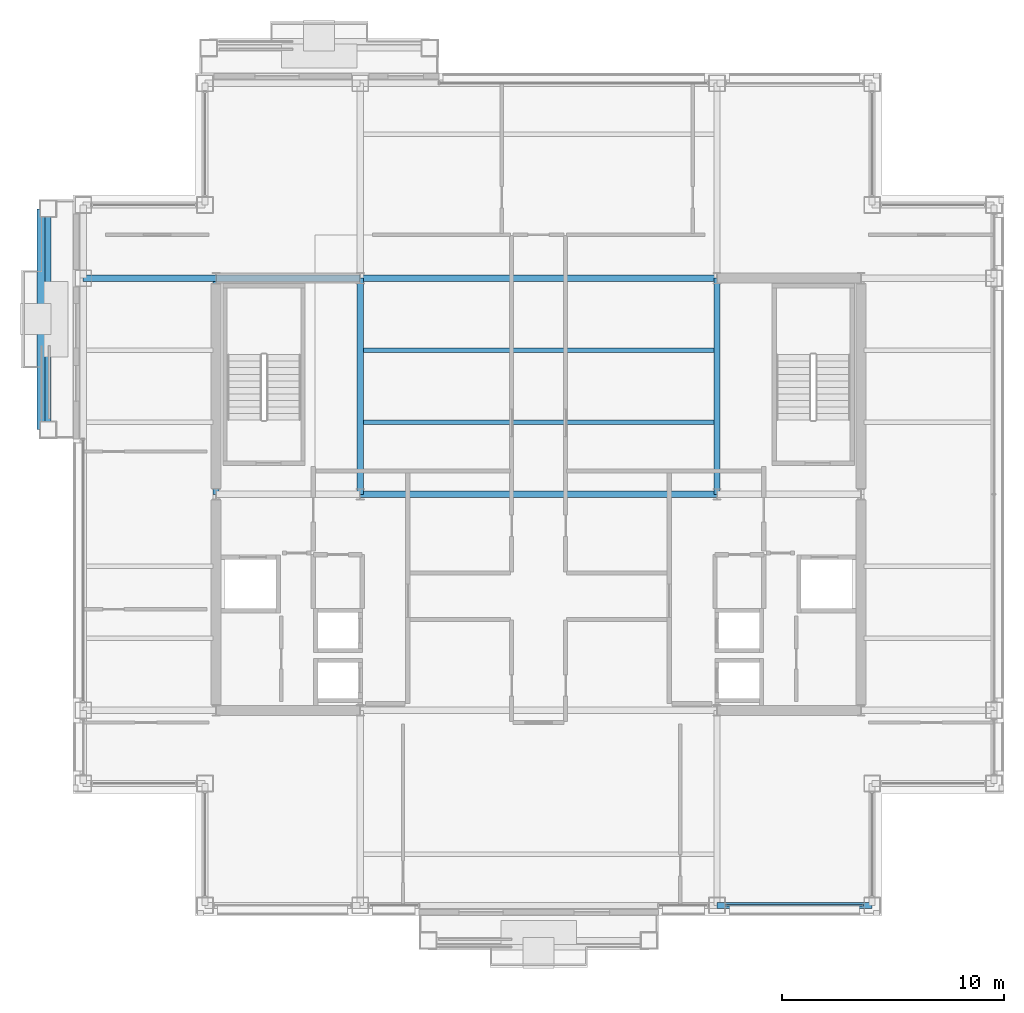
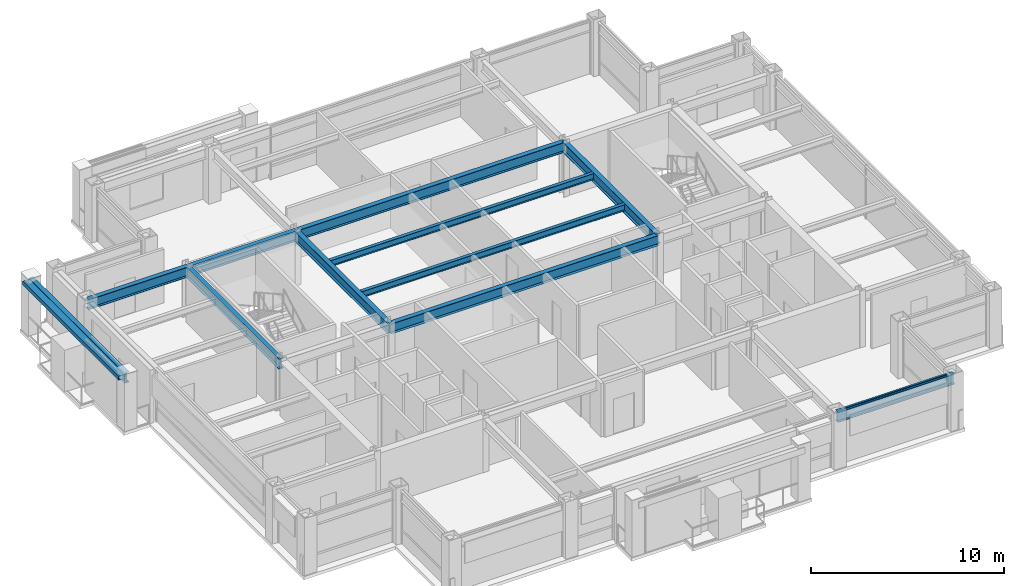
# One storey, part 11 of 31: 11 beams, 2 members, 1 element without a shape of its own.
"""IFC4 building model written with IfcOpenShell, lengths in metres."""

from ifc_helpers import new_model, si_unit, direction, frame, origin, origin_2d, place, context, subcontext, project, spatial, hollow_rectangle, i_section, extrude, material, layer, layer_set, material_profile, profile_set, type_object, element, aggregate, save


model = new_model("IFC4")

# Units and contexts
model_context = context("Model", 3, precision=1e-05, world=origin(), true_north=direction((0.0, 1.0)))
body_context = subcontext(model_context, "Body", "Model", "MODEL_VIEW")
ifc_project = project(units=[si_unit("LENGTHUNIT", "METRE"), si_unit("AREAUNIT", "SQUARE_METRE"), si_unit("VOLUMEUNIT", "CUBIC_METRE"), si_unit("PLANEANGLEUNIT", "RADIAN"), si_unit("MASSUNIT", "GRAM", prefix="KILO")], contexts=[model_context])

# Site, building, storey
site_placement = place(None, origin())
site = spatial("IfcSite", under=ifc_project, at=site_placement, CompositionType="ELEMENT")
building_placement = place(site_placement, origin())
building = spatial("IfcBuilding", under=site, at=building_placement, Name="Brelmoor Portico Tower", CompositionType="ELEMENT")
storey_placement = place(building_placement, frame((0.0, 0.0, 176.699951171875)))
storey = spatial("IfcBuildingStorey", under=building, at=storey_placement, Name="L46", CompositionType="ELEMENT", Elevation=176.699951171875)

# Beams
ifc_material_1 = material(Name="Steel Q355B", Category="steel")
ifc_material_profile_1 = material_profile(ifc_material_1, i_section(OverallWidth=0.199951171875, OverallDepth=0.39990234375, WebThickness=0.008056640625, FlangeThickness=0.012939453125, at=origin_2d()), Name="HN 400x200x8x13")
ifc_profile_set_1 = profile_set([ifc_material_profile_1], Name="Steel Q355B")
beam_type_1 = type_object("IfcBeamType", Name="BM-JS-400", PredefinedType="JOIST", material=ifc_profile_set_1)
for number, where, z_axis, x_axis, name in (
    (1, (-7.909912109375, 3.25, 3.199951171875), (1.0, 0.0, 0.0), (0.0, 1.0, 0.0), "L46 Secondary Composite Joist JS-C02"),
    (2, (-7.909912109375, 6.5, 3.199951171875), (1.0, 0.0, 0.0), (0.0, 1.0, 0.0), "L46 Secondary Composite Joist JS-C03"),
):
    element("IfcBeam", number, at=place(storey_placement, frame(where, z_axis=z_axis, x_axis=x_axis)), inside=storey, type_object=beam_type_1, Name=name, PredefinedType="JOIST", context=body_context, shape_type="SweptSolid", body=[
        extrude(i_section(OverallWidth=0.199951171875, OverallDepth=0.39990234375, WebThickness=0.008056640625, FlangeThickness=0.012939453125, at=origin_2d()), origin(), (0.0, 0.0, 1.0), 15.81982421875),
    ])
ifc_material_profile_2 = material_profile(ifc_material_1, i_section(OverallWidth=0.280029296875, OverallDepth=0.64990234375, WebThickness=0.012939453125, FlangeThickness=0.02197265625, at=origin_2d()), Name="HN 650x280x13x22")
ifc_profile_set_2 = profile_set([ifc_material_profile_2], Name="Steel Q355B")
beam_type_2 = type_object("IfcBeamType", Name="BM-PG-650", PredefinedType="BEAM", material=ifc_profile_set_2)
for number, where, z_axis, x_axis, name in (
    (3, (-14.550048828125, 0.0, 3.074951171875), (0.0, 1.0, 0.0), (-1.0, 0.0, 0.0), "L46 Primary Floor Girder PG-02"),
    (4, (-8.050048828125, 0.0, 3.074951171875), (0.0, 1.0, 0.0), (-1.0, 0.0, 0.0), "L46 Primary Floor Girder PG-04"),
    (5, (8.050048828125, 0.0, 3.074951171875), (0.0, 1.0, 0.0), (-1.0, 0.0, 0.0), "L46 Primary Floor Girder PG-07"),
):
    element("IfcBeam", number, at=place(storey_placement, frame(where, z_axis=z_axis, x_axis=x_axis)), inside=storey, type_object=beam_type_2, Name=name, PredefinedType="BEAM", context=body_context, shape_type="SweptSolid", body=[
        extrude(i_section(OverallWidth=0.280029296875, OverallDepth=0.64990234375, WebThickness=0.012939453125, FlangeThickness=0.02197265625, at=origin_2d()), origin(), (0.0, 0.0, 1.0), 9.75),
    ])
beam_1_placement = place(storey_placement, frame((-8.050048828125, 0.0, 3.074951171875), z_axis=(1.0, 0.0, 0.0), x_axis=(0.0, 1.0, 0.0)))
element("IfcBeam", 6, at=beam_1_placement, inside=storey, type_object=beam_type_2, Name="L46 Primary Floor Girder PG-17", PredefinedType="BEAM", context=body_context, shape_type="SweptSolid", body=[
    extrude(i_section(OverallWidth=0.280029296875, OverallDepth=0.64990234375, WebThickness=0.012939453125, FlangeThickness=0.02197265625, at=origin_2d()), origin(), (0.0, 0.0, 1.0), 16.10009765625),
])
beam_2_placement = place(storey_placement, frame((-20.550048828125, 9.75, 3.074951171875), z_axis=(1.0, 0.0, 0.0), x_axis=(0.0, 1.0, 0.0)))
element("IfcBeam", 7, at=beam_2_placement, inside=storey, type_object=beam_type_2, Name="L46 Primary Floor Girder PG-19", PredefinedType="BEAM", context=body_context, shape_type="SweptSolid", body=[
    extrude(i_section(OverallWidth=0.280029296875, OverallDepth=0.64990234375, WebThickness=0.012939453125, FlangeThickness=0.02197265625, at=origin_2d()), origin(), (0.0, 0.0, 1.0), 6.0),
])
beam_3_placement = place(storey_placement, frame((-14.550048828125, 9.75, 3.074951171875), z_axis=(1.0, 0.0, 0.0), x_axis=(0.0, 1.0, 0.0)))
element("IfcBeam", 8, at=beam_3_placement, inside=storey, type_object=beam_type_2, Name="L46 Primary Floor Girder PG-20", PredefinedType="BEAM", context=body_context, shape_type="SweptSolid", body=[
    extrude(i_section(OverallWidth=0.280029296875, OverallDepth=0.64990234375, WebThickness=0.012939453125, FlangeThickness=0.02197265625, at=origin_2d()), origin(), (0.0, 0.0, 1.0), 6.5),
])
beam_4_placement = place(storey_placement, frame((-8.050048828125, 9.75, 3.074951171875), z_axis=(1.0, 0.0, 0.0), x_axis=(0.0, 1.0, 0.0)))
element("IfcBeam", 9, at=beam_4_placement, inside=storey, type_object=beam_type_2, Name="L46 Primary Floor Girder PG-21", PredefinedType="BEAM", context=body_context, shape_type="SweptSolid", body=[
    extrude(i_section(OverallWidth=0.280029296875, OverallDepth=0.64990234375, WebThickness=0.012939453125, FlangeThickness=0.02197265625, at=origin_2d()), origin(), (0.0, 0.0, 1.0), 16.10009765625),
])
ifc_material_profile_3 = material_profile(ifc_material_1, i_section(OverallWidth=0.280029296875, OverallDepth=0.64990234375, WebThickness=0.012939453125, FlangeThickness=0.02197265625, at=origin_2d()), Name="HN 650x280x13x22")
ifc_profile_set_3 = profile_set([ifc_material_profile_3], Name="Steel Q355B")
beam_type_3 = type_object("IfcBeamType", Name="BM-SP-650", PredefinedType="SPANDREL", material=ifc_profile_set_3)
beam_5_placement = place(storey_placement, frame((8.050048828125, -18.550048828125, 3.074951171875), z_axis=(1.0, 0.0, 0.0), x_axis=(0.0, 1.0, 0.0)))
element("IfcBeam", 10, at=beam_5_placement, inside=storey, type_object=beam_type_3, Name="L46 Perimeter Spandrel Beam SP-03", PredefinedType="SPANDREL", context=body_context, shape_type="SweptSolid", body=[
    extrude(i_section(OverallWidth=0.280029296875, OverallDepth=0.64990234375, WebThickness=0.012939453125, FlangeThickness=0.02197265625, at=origin_2d()), origin(), (0.0, 0.0, 1.0), 7.0),
])
beam_6_placement = place(storey_placement, frame((-22.1298828125, 2.919921875, 3.074951171875), z_axis=(0.0, 1.0, 0.0), x_axis=(-1.0, 0.0, 0.0)))
element("IfcBeam", 11, at=beam_6_placement, inside=storey, type_object=beam_type_3, Name="L46 Picture-Frame Perimeter Lintel Beam W1", PredefinedType="SPANDREL", context=body_context, shape_type="SweptSolid", body=[
    extrude(i_section(OverallWidth=0.280029296875, OverallDepth=0.64990234375, WebThickness=0.012939453125, FlangeThickness=0.02197265625, at=origin_2d()), origin(), (0.0, 0.0, 1.0), 9.9599609375),
])

# Curtain wall, member
ifc_material_2 = material(Name="Anodised Aluminium Alloy 6063-T6", Category="aluminium")
ifc_layer = layer(ifc_material_2, 0.179931640625)
ifc_layer_set = layer_set([ifc_layer], Name="Anodised Aluminium Alloy 6063-T6")
curtain_wall_type = type_object("IfcCurtainWallType", Name="CW-TOWER-Z3-XB", PredefinedType="NOTDEFINED", material=ifc_layer_set)
curtain_wall_placement = place(storey_placement, origin())
curtain_wall = element("IfcCurtainWall", 12, at=curtain_wall_placement, inside=storey, type_object=curtain_wall_type, Name="L46 Curtain Wall CW-L46-1R-2", PredefinedType="NOTDEFINED")
ifc_material_profile_4 = material_profile(ifc_material_2, hollow_rectangle(XDim=0.06005859375, YDim=0.125, WallThickness=0.00341796875, at=origin_2d()), Name="ALU TRANSOM 60x125")
ifc_profile_set_4 = profile_set([ifc_material_profile_4], Name="Anodised Aluminium Alloy 6063-T6")
member_type_1 = type_object("IfcMemberType", Name="MB-CW-TRAN-125", PredefinedType="USERDEFINED", material=ifc_profile_set_4)
member_1_placement = place(storey_placement, frame((8.43505859375, -18.550048828125, 3.337646484375), z_axis=(1.0, 0.0, 0.0), x_axis=(0.0, 1.0, 0.0)))
member_1 = element("IfcMember", 13, at=member_1_placement, type_object=member_type_1, Name="CW-L46-1R-2 Transom 1-00", ObjectType="TRANSOM", PredefinedType="USERDEFINED", context=body_context, shape_type="SweptSolid", body=[
    extrude(hollow_rectangle(XDim=0.06005859375, YDim=0.125, WallThickness=0.00341796875, at=origin_2d()), origin(), (0.0, 0.0, 1.0), 6.22998046875),
])
aggregate(curtain_wall, [member_1])

# Member
ifc_material_3 = material(Name="Pale Champagne Fluoropolymer-Coated Steel Q355B", Category="steel")
ifc_material_profile_5 = material_profile(ifc_material_3, hollow_rectangle(XDim=0.25, YDim=0.39990234375, WallThickness=0.013916015625, at=origin_2d()), Name="RHS 250x400x14")
ifc_profile_set_5 = profile_set([ifc_material_profile_5], Name="Pale Champagne Fluoropolymer-Coated Steel Q355B")
member_type_2 = type_object("IfcMemberType", Name="MB-PF-HEADER", PredefinedType="MEMBER", material=ifc_profile_set_5)
member_2_placement = place(storey_placement, frame((-22.429931640625, 2.919921875, 3.199951171875), z_axis=(0.0, 1.0, 0.0), x_axis=(0.0, 0.0, 1.0)))
element("IfcMember", 14, at=member_2_placement, inside=storey, type_object=member_type_2, Name="L46 Picture-Frame Header W", PredefinedType="MEMBER", context=body_context, shape_type="SweptSolid", body=[
    extrude(hollow_rectangle(XDim=0.25, YDim=0.39990234375, WallThickness=0.013916015625, at=origin_2d()), origin(), (0.0, 0.0, 1.0), 9.9599609375),
])

save(model, "model.ifc")
